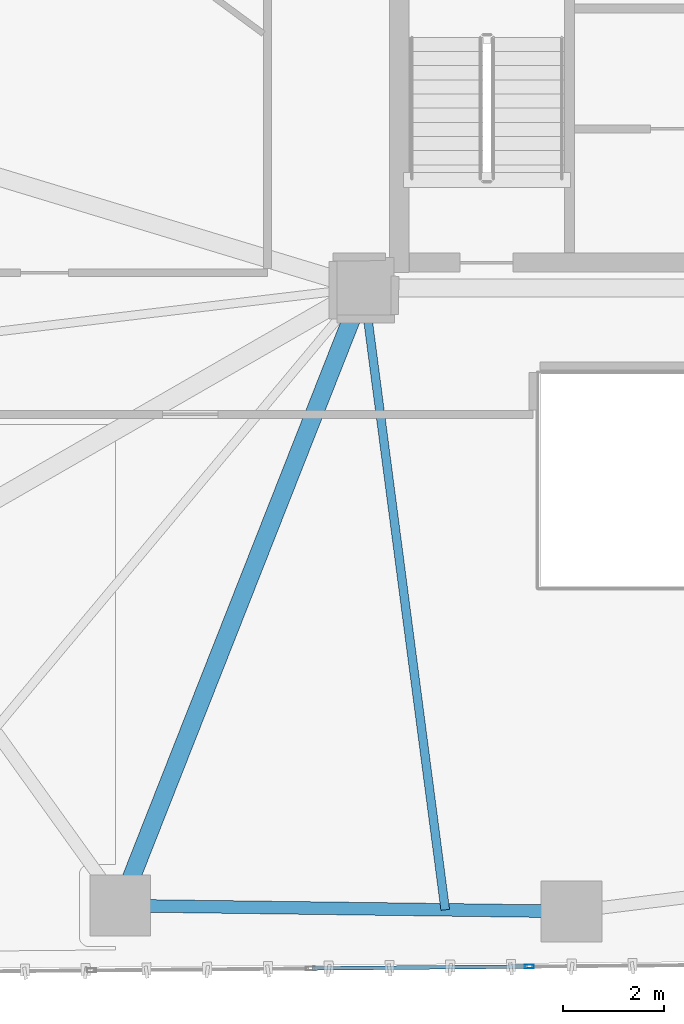
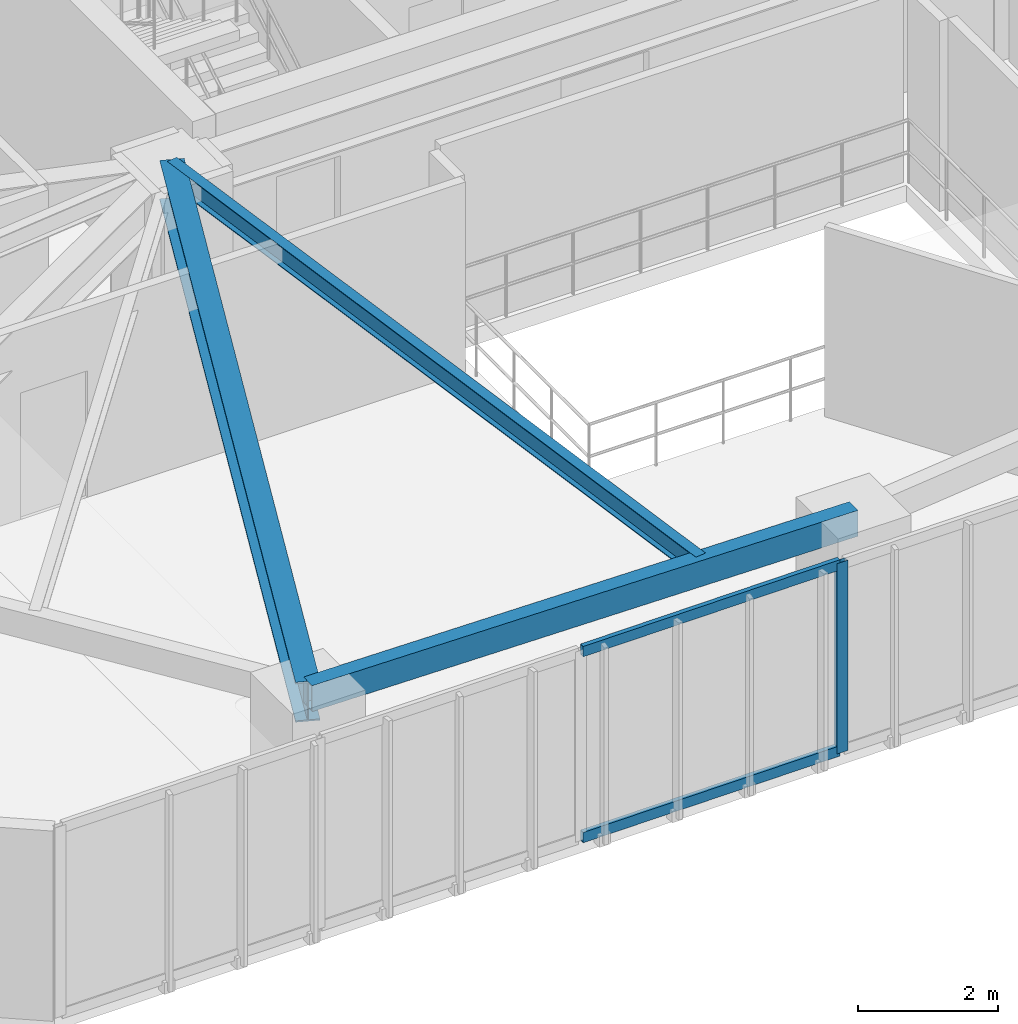
# One storey, part 3 of 21: 3 beams, 3 members, 1 element without a shape of its own.
"""IFC4 building model written with IfcOpenShell, lengths in metres."""

from ifc_helpers import new_model, si_unit, direction, frame, origin, origin_2d, place, context, subcontext, project, spatial, hollow_rectangle, i_section, extrude, source, transform, mapped, material, layer, layer_set, material_profile, profile_set, type_object, type_shapes, element, aggregate, save


model = new_model("IFC4")

# Units and contexts
model_context = context("Model", 3, precision=1e-05, world=origin(), true_north=direction((0.0, 1.0)))
body_context = subcontext(model_context, "Body", "Model", "MODEL_VIEW")
ifc_project = project(units=[si_unit("LENGTHUNIT", "METRE"), si_unit("AREAUNIT", "SQUARE_METRE"), si_unit("VOLUMEUNIT", "CUBIC_METRE"), si_unit("PLANEANGLEUNIT", "RADIAN"), si_unit("MASSUNIT", "GRAM", prefix="KILO")], contexts=[model_context])

# Site, building, storey
site_placement = place(None, origin())
site = spatial("IfcSite", under=ifc_project, at=site_placement, CompositionType="ELEMENT")
building_placement = place(site_placement, origin())
building = spatial("IfcBuilding", under=site, at=building_placement, Name="Talar Marvaseh", CompositionType="ELEMENT")
storey_placement = place(building_placement, frame((0.0, 0.0, 93.0)))
storey = spatial("IfcBuildingStorey", under=building, at=storey_placement, Name="L23", CompositionType="ELEMENT", Elevation=93.0)

# Beams
ifc_material_1 = material(Name="Steel S355", Category="steel")
ifc_material_profile_1 = material_profile(ifc_material_1, hollow_rectangle(XDim=0.25, YDim=0.449951171875, WallThickness=0.01611328125, at=origin_2d()), Name="RHS450x250x16")
ifc_profile_set_1 = profile_set([ifc_material_profile_1], Name="Steel S355")
beam_type_1 = type_object("IfcBeamType", Name="Zone 2 Perimeter Spandrel Beam RHS450x250x16", PredefinedType="SPANDREL", material=ifc_profile_set_1)
beam_1_placement = place(storey_placement, frame((22.804931640625, 13.18310546875, 3.0849609375), z_axis=(-0.999915383581, 0.013008677034, 0.0), x_axis=(-0.013008677034, -0.999915383581, 0.0)))
element("IfcBeam", 1, at=beam_1_placement, inside=storey, type_object=beam_type_1, Name="L23 Zone 2 Perimeter Spandrel Beam RHS450x250x16", PredefinedType="SPANDREL", context=body_context, shape_type="SweptSolid", body=[
    extrude(hollow_rectangle(XDim=0.25, YDim=0.449951171875, WallThickness=0.01611328125, at=origin_2d()), origin(), (0.0, 0.0, 1.0), 8.91455078125),
])
ifc_material_profile_2 = material_profile(ifc_material_1, i_section(OverallWidth=0.35498046875, OverallDepth=0.695068359375, WebThickness=0.015380859375, FlangeThickness=0.02490234375, at=origin_2d()), Name="W690x217")
ifc_profile_set_2 = profile_set([ifc_material_profile_2], Name="Steel S355")
beam_type_2 = type_object("IfcBeamType", Name="Zone 2 Radial Floor Girder W690x217", PredefinedType="BEAM", material=ifc_profile_set_2)
beam_2_placement = place(storey_placement, frame((13.89111328125, 13.299072265625, 2.96240234375), z_axis=(0.366683712786, 0.930345664136, 0.0), x_axis=(-0.930345664136, 0.366683712786, 0.0)))
element("IfcBeam", 2, at=beam_2_placement, inside=storey, type_object=beam_type_2, Name="L23 Zone 2 Radial Floor Girder W690x217", PredefinedType="BEAM", context=body_context, shape_type="SweptSolid", body=[
    extrude(i_section(OverallWidth=0.35498046875, OverallDepth=0.695068359375, WebThickness=0.015380859375, FlangeThickness=0.02490234375, at=origin_2d()), origin(), (0.0, 0.0, 1.0), 13.114501953125),
])
ifc_material_profile_3 = material_profile(ifc_material_1, i_section(OverallWidth=0.172119140625, OverallDepth=0.35791015625, WebThickness=0.0078125, FlangeThickness=0.01318359375, at=origin_2d()), Name="W360x57")
ifc_profile_set_3 = profile_set([ifc_material_profile_3], Name="Steel S355")
beam_type_3 = type_object("IfcBeamType", Name="Zone 2 Secondary Floor Joist W360x57", PredefinedType="JOIST", material=ifc_profile_set_3)
beam_3_placement = place(storey_placement, frame((20.30908203125, 13.215576171875, 3.131103515625), z_axis=(-0.129880008292, 0.991529718892, 0.0), x_axis=(-0.991529718892, -0.129880008292, 0.0)))
element("IfcBeam", 3, at=beam_3_placement, inside=storey, type_object=beam_type_3, Name="L23 Zone 2 Secondary Floor Joist W360x57", PredefinedType="JOIST", context=body_context, shape_type="SweptSolid", body=[
    extrude(i_section(OverallWidth=0.172119140625, OverallDepth=0.35791015625, WebThickness=0.0078125, FlangeThickness=0.01318359375, at=origin_2d()), origin(), (0.0, 0.0, 1.0), 12.389404296875),
])

# Curtain wall, members
ifc_material_2 = material(Name="Architectural Aluminium", Category="aluminium")
ifc_layer = layer(ifc_material_2, 0.199951171875)
ifc_layer_set = layer_set([ifc_layer], Name="Architectural Aluminium")
curtain_wall_type = type_object("IfcCurtainWallType", Name="Unitised Acoustic Library Curtain Wall Z2", PredefinedType="NOTDEFINED", material=ifc_layer_set)
curtain_wall_placement = place(storey_placement, origin())
curtain_wall = element("IfcCurtainWall", 4, at=curtain_wall_placement, inside=storey, type_object=curtain_wall_type, Name="L23 Unitised Acoustic Library Curtain Wall Z2", PredefinedType="NOTDEFINED")
ifc_material_profile_4 = material_profile(ifc_material_2, hollow_rectangle(XDim=0.074951171875, YDim=0.179931640625, WallThickness=0.0048828125, at=origin_2d()), Name="RHS180x75x5")
ifc_profile_set_4 = profile_set([ifc_material_profile_4], Name="Architectural Aluminium")
member_type_1 = type_object("IfcMemberType", Name="Unitised Curtain Wall Standard Mullion RHS180x75x5", PredefinedType="MULLION", material=ifc_profile_set_4)
shared_shape_1 = source(origin(), body_context, "Body", "SweptSolid", [
    extrude(hollow_rectangle(XDim=0.074951171875, YDim=0.179931640625, WallThickness=0.0048828125, at=origin_2d()), origin(), (0.0, 0.0, 1.0), 3.31005859375),
])
type_shapes(member_type_1, [shared_shape_1])
member_1_placement = place(storey_placement, frame((21.9697265625, 12.096923828125, 0.0), z_axis=(0.0, 0.0, 1.0), x_axis=(0.008881630353, -0.999960557543, 0.0)))
member_1 = element("IfcMember", 5, at=member_1_placement, type_object=member_type_1, Name="CW-Z2 mullion 3", PredefinedType="MULLION", context=body_context, shape_type="MappedRepresentation", body=[
    mapped(shared_shape_1, transform((0.0, 0.0, 0.0), x_axis=(1.0, 0.0, 0.0), y_axis=(0.0, 1.0, 0.0), z_axis=(0.0, 0.0, 1.0), scale=1.0)),
])
ifc_material_profile_5 = material_profile(ifc_material_2, hollow_rectangle(XDim=0.074951171875, YDim=0.179931640625, WallThickness=0.0048828125, at=origin_2d()), Name="RHS180x75x5")
ifc_profile_set_5 = profile_set([ifc_material_profile_5], Name="Architectural Aluminium")
member_type_2 = type_object("IfcMemberType", Name="Unitised Curtain Wall Transom RHS180x75x5", PredefinedType="USERDEFINED", material=ifc_profile_set_5)
shared_shape_2 = source(origin(), body_context, "Body", "SweptSolid", [
    extrude(hollow_rectangle(XDim=0.074951171875, YDim=0.179931640625, WallThickness=0.0048828125, at=origin_2d()), origin(), (0.0, 0.0, 1.0), 4.24853515625),
])
type_shapes(member_type_2, [shared_shape_2])
member_2_placement = place(storey_placement, frame((21.93212890625, 12.0966796875, 0.03759765625), z_axis=(-0.999960330279, -0.00890718069, 0.0), x_axis=(0.00890718069, -0.999960330279, 0.0)))
member_2 = element("IfcMember", 6, at=member_2_placement, type_object=member_type_2, Name="CW-Z2 transom 3.1", ObjectType="TRANSOM", PredefinedType="USERDEFINED", context=body_context, shape_type="MappedRepresentation", body=[
    mapped(shared_shape_2, transform((0.0, 0.0, 0.0), x_axis=(1.0, 0.0, 0.0), y_axis=(0.0, 1.0, 0.0), z_axis=(0.0, 0.0, 1.0), scale=1.0)),
])
member_3_placement = place(storey_placement, frame((21.93212890625, 12.0966796875, 3.2724609375), z_axis=(-0.999960330279, -0.00890718069, 0.0), x_axis=(0.00890718069, -0.999960330279, 0.0)))
member_3 = element("IfcMember", 7, at=member_3_placement, type_object=member_type_2, Name="CW-Z2 transom 3.2", ObjectType="TRANSOM", PredefinedType="USERDEFINED", context=body_context, shape_type="MappedRepresentation", body=[
    mapped(shared_shape_2, transform((0.0, 0.0, 0.0), x_axis=(1.0, 0.0, 0.0), y_axis=(0.0, 1.0, 0.0), z_axis=(0.0, 0.0, 1.0), scale=1.0)),
])
aggregate(curtain_wall, [member_1, member_2, member_3])

save(model, "model.ifc")
